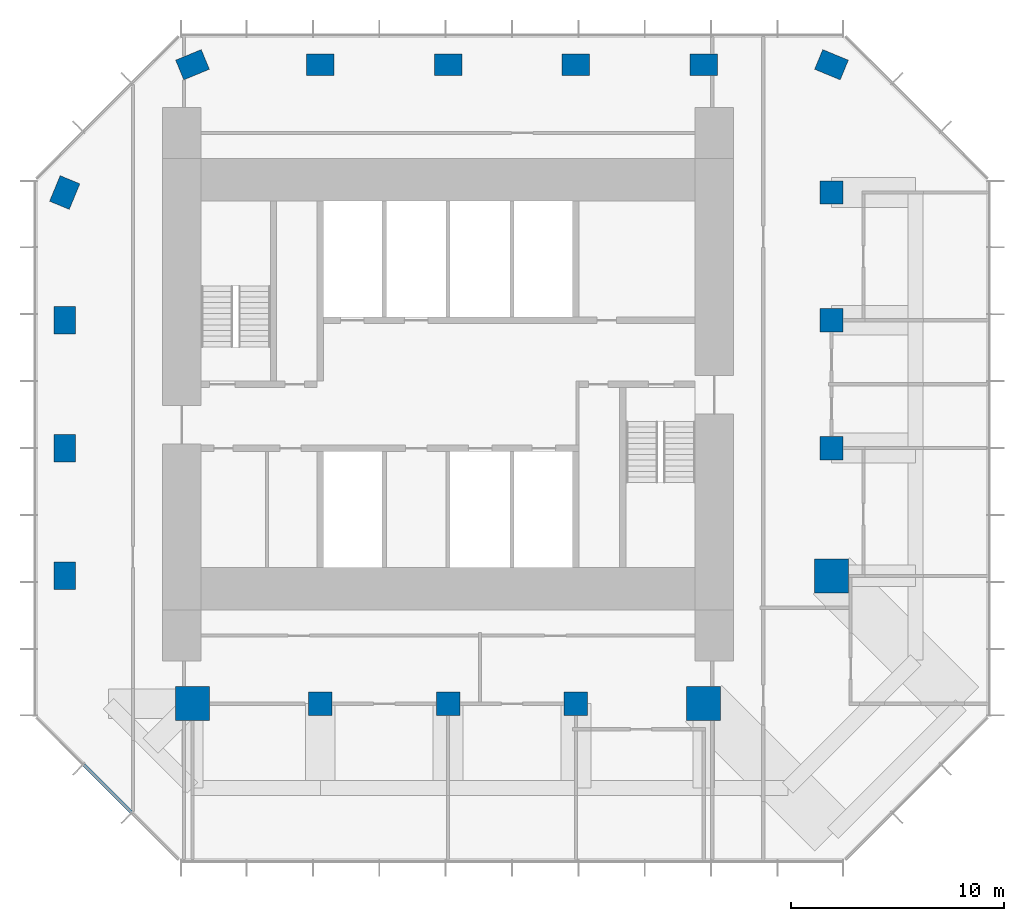
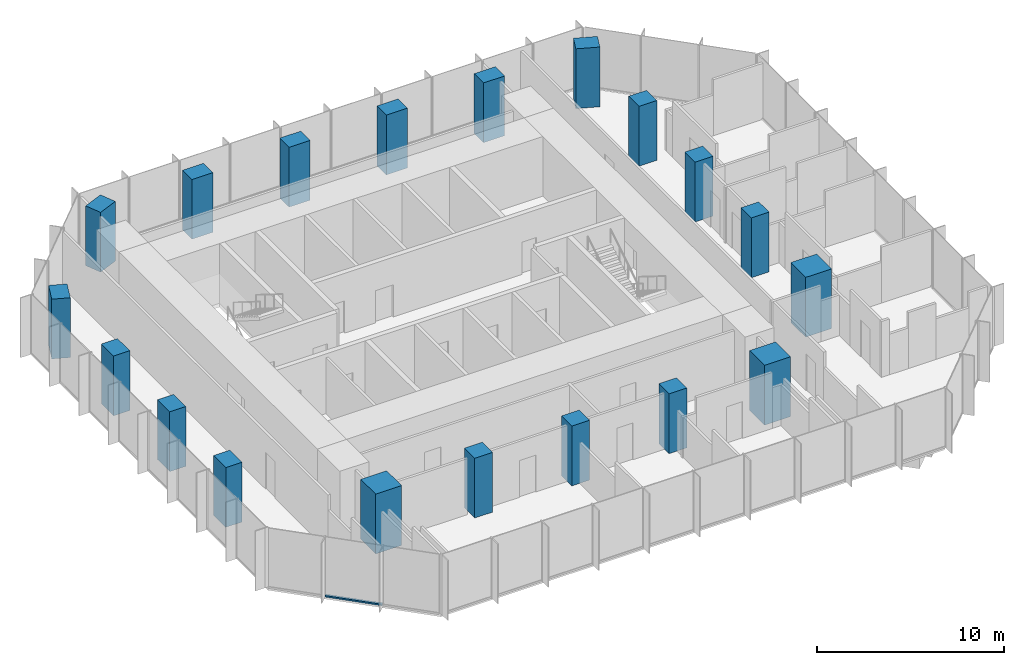
# One storey, part 1 of 11: 19 columns, 1 member, 1 element without a shape of its own.
"""IFC4 building model written with IfcOpenShell, lengths in metres."""

from ifc_helpers import new_model, si_unit, direction, frame, origin, origin_2d, place, context, subcontext, project, spatial, rectangle, extrude, material, layer, layer_set, material_profile, profile_set, type_object, element, aggregate, save


model = new_model("IFC4")

# Units and contexts
model_context = context("Model", 3, precision=1e-05, world=origin(), true_north=direction((0.0, 1.0)))
body_context = subcontext(model_context, "Body", "Model", "MODEL_VIEW")
ifc_project = project(units=[si_unit("LENGTHUNIT", "METRE"), si_unit("AREAUNIT", "SQUARE_METRE"), si_unit("VOLUMEUNIT", "CUBIC_METRE"), si_unit("PLANEANGLEUNIT", "RADIAN"), si_unit("MASSUNIT", "GRAM", prefix="KILO")], contexts=[model_context])

# Site, building, storey
site_placement = place(None, origin())
site = spatial("IfcSite", under=ifc_project, at=site_placement, CompositionType="ELEMENT")
building_placement = place(site_placement, origin())
building = spatial("IfcBuilding", under=site, at=building_placement, Name="Highveld Stack Headquarters", CompositionType="ELEMENT")
storey_placement = place(building_placement, frame((0.0, 0.0, 284.0)))
storey = spatial("IfcBuildingStorey", under=building, at=storey_placement, Name="L70", CompositionType="ELEMENT", Elevation=284.0)

# Columns
ifc_material_1 = material(Name="Concrete C60/75", Category="concrete")
ifc_material_profile_1 = material_profile(ifc_material_1, rectangle(XDim=1.10009765625, YDim=1.10009765625, at=origin_2d()), Name="RC 1100x1100")
ifc_profile_set_1 = profile_set([ifc_material_profile_1], Name="Concrete C60/75")
column_type_1 = type_object("IfcColumnType", Name="COLUMN RC 1100x1100 C60/75", PredefinedType="COLUMN", material=ifc_profile_set_1)
for number, where, z_axis, x_axis, name in (
    (1, (0.0, -12.0, 0.0), (0.0, 0.0, 1.0), (1.0, 0.0, 0.0), "Column 6/C L70"),
    (2, (6.0, -12.0, 0.0), (0.0, 0.0, 1.0), (1.0, 0.0, 0.0), "Column 7/C L70"),
    (3, (12.0, -12.0, 0.0), (0.0, 0.0, 1.0), (1.0, 0.0, 0.0), "Column 8/C L70"),
    (4, (24.0, 0.0, 0.0), (0.0, 0.0, 1.0), (1.0, 0.0, 0.0), "Column 10/E L70"),
    (5, (24.0, 6.0, 0.0), (0.0, 0.0, 1.0), (1.0, 0.0, 0.0), "Column 10/F L70"),
    (6, (24.0, 12.0, 0.0), (0.0, 0.0, 1.0), (1.0, 0.0, 0.0), "Column 10/G L70"),
):
    element("IfcColumn", number, at=place(storey_placement, frame(where, z_axis=z_axis, x_axis=x_axis)), inside=storey, type_object=column_type_1, Name=name, PredefinedType="COLUMN", context=body_context, shape_type="SweptSolid", body=[
        extrude(rectangle(XDim=1.10009765625, YDim=1.10009765625, at=origin_2d()), origin(), (0.0, 0.0, 1.0), 3.89990234375),
    ])
ifc_material_2 = material(Name="Concrete C60/75", Category="concrete")
ifc_material_profile_2 = material_profile(ifc_material_2, rectangle(XDim=1.300048828125, YDim=1.0, at=origin_2d()), Name="RC 1300x1000")
ifc_profile_set_2 = profile_set([ifc_material_profile_2], Name="Concrete C60/75")
column_type_2 = type_object("IfcColumnType", Name="COLUMN RC 1300x1000 C60/75", PredefinedType="COLUMN", material=ifc_profile_set_2)
for number, where, z_axis, x_axis, name in (
    (7, (-12.0, -6.0, 0.0), (0.0, 0.0, 1.0), (0.0, 1.0, 0.0), "Column 4/D L70"),
    (8, (-12.0, 0.0, 0.0), (0.0, 0.0, 1.0), (0.0, 1.0, 0.0), "Column 4/E L70"),
    (9, (-12.0, 6.0, 0.0), (0.0, 0.0, 1.0), (0.0, 1.0, 0.0), "Column 4/F L70"),
    (10, (-12.0, 12.0, 0.0), (0.0, 0.0, 1.0), (0.382683432365, 0.923879532511, 0.0), "Column 4/G L70"),
    (11, (-6.0, 18.0, 0.0), (0.0, 0.0, 1.0), (0.923879532511, 0.382683432365, 0.0), "Column 5/H L70"),
    (12, (0.0, 18.0, 0.0), (0.0, 0.0, 1.0), (1.0, 0.0, 0.0), "Column 6/H L70"),
    (13, (6.0, 18.0, 0.0), (0.0, 0.0, 1.0), (1.0, 0.0, 0.0), "Column 7/H L70"),
    (14, (12.0, 18.0, 0.0), (0.0, 0.0, 1.0), (1.0, 0.0, 0.0), "Column 8/H L70"),
    (15, (18.0, 18.0, 0.0), (0.0, 0.0, 1.0), (1.0, 0.0, 0.0), "Column 9/H L70"),
    (16, (24.0, 18.0, 0.0), (0.0, 0.0, 1.0), (0.923879532511, -0.382683432365, 0.0), "Column 10/H L70"),
):
    element("IfcColumn", number, at=place(storey_placement, frame(where, z_axis=z_axis, x_axis=x_axis)), inside=storey, type_object=column_type_2, Name=name, PredefinedType="COLUMN", context=body_context, shape_type="SweptSolid", body=[
        extrude(rectangle(XDim=1.300048828125, YDim=1.0, at=origin_2d()), origin(), (0.0, 0.0, 1.0), 3.89990234375),
    ])
ifc_material_3 = material(Name="Concrete C60/75", Category="concrete")
ifc_material_profile_3 = material_profile(ifc_material_3, rectangle(XDim=1.60009765625, YDim=1.60009765625, at=origin_2d()), Name="RC 1600x1600")
ifc_profile_set_3 = profile_set([ifc_material_profile_3], Name="Concrete C60/75")
column_type_3 = type_object("IfcColumnType", Name="COLUMN RC 1600x1600 C60/75", PredefinedType="COLUMN", material=ifc_profile_set_3)
for number, where, z_axis, x_axis, name in (
    (17, (-6.0, -12.0, 0.0), (0.0, 0.0, 1.0), (1.0, 0.0, 0.0), "Column 5/C L70"),
    (18, (18.0, -12.0, 0.0), (0.0, 0.0, 1.0), (1.0, 0.0, 0.0), "Column 9/C L70"),
    (19, (24.0, -6.0, 0.0), (0.0, 0.0, 1.0), (1.0, 0.0, 0.0), "Column 10/D L70"),
):
    element("IfcColumn", number, at=place(storey_placement, frame(where, z_axis=z_axis, x_axis=x_axis)), inside=storey, type_object=column_type_3, Name=name, PredefinedType="COLUMN", context=body_context, shape_type="SweptSolid", body=[
        extrude(rectangle(XDim=1.60009765625, YDim=1.60009765625, at=origin_2d()), origin(), (0.0, 0.0, 1.0), 3.89990234375),
    ])

# Curtain wall, member
ifc_material_4 = material(Name="Aluminium bronze anodised", Category="aluminium")
ifc_layer = layer(ifc_material_4, 0.199951171875)
ifc_layer_set = layer_set([ifc_layer], Name="Aluminium bronze anodised")
curtain_wall_type = type_object("IfcCurtainWallType", Name="CW5 EXECUTIVE UNITISED CURTAIN WALL", PredefinedType="NOTDEFINED", material=ifc_layer_set)
curtain_wall_placement = place(storey_placement, origin())
curtain_wall = element("IfcCurtainWall", 20, at=curtain_wall_placement, inside=storey, type_object=curtain_wall_type, Name="Curtain wall CW5 L70 SW", PredefinedType="NOTDEFINED")
ifc_material_5 = material(Name="Aluminium bronze anodised", Category="aluminium")
ifc_material_profile_4 = material_profile(ifc_material_5, rectangle(XDim=0.14990234375, YDim=0.10009765625, at=origin_2d()), Name="CW5 TRANSOM 150x100")
ifc_profile_set_4 = profile_set([ifc_material_profile_4], Name="Aluminium bronze anodised")
member_type = type_object("IfcMemberType", Name="CW5 STACK TRANSOM 150x100", PredefinedType="USERDEFINED", material=ifc_profile_set_4)
member_placement = place(storey_placement, frame((-11.103759765625, -14.876220703125, 0.050048828125), z_axis=(0.707106781187, -0.707106781187, 0.0), x_axis=(0.707106781187, 0.707106781187, 0.0)))
member = element("IfcMember", 21, at=member_placement, type_object=member_type, Name="CW5 transom L70 2.1", ObjectType="TRANSOM", PredefinedType="USERDEFINED", context=body_context, shape_type="SweptSolid", body=[
    extrude(rectangle(XDim=0.14990234375, YDim=0.10009765625, at=origin_2d()), origin(), (0.0, 0.0, 1.0), 3.150146484375),
])
aggregate(curtain_wall, [member])

save(model, "model.ifc")
